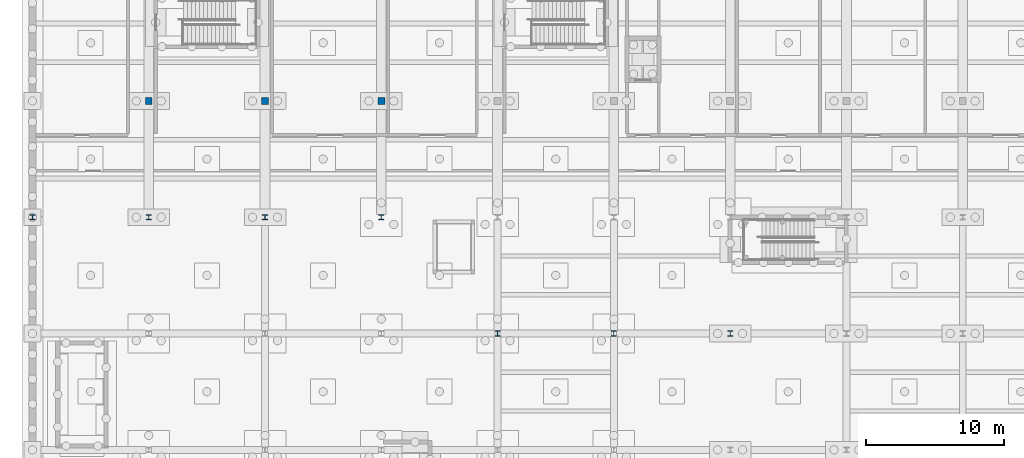
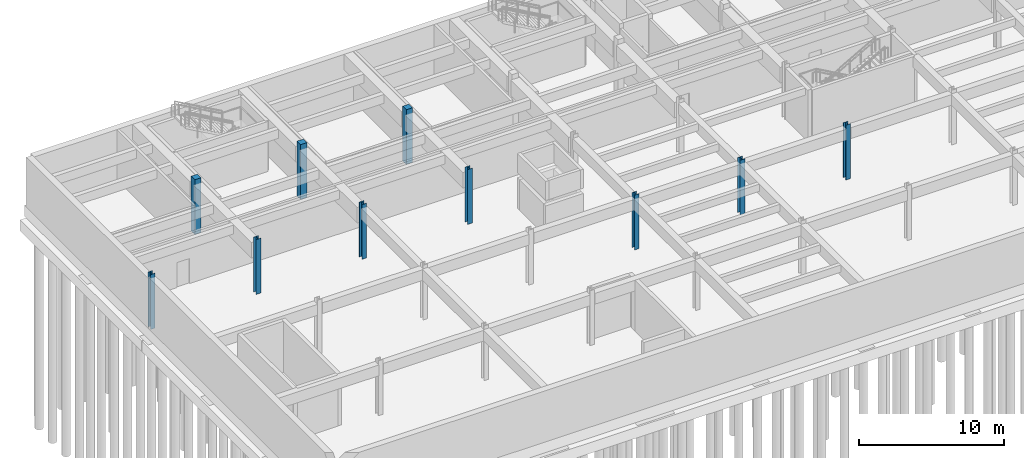
# One storey, part 13 of 33: 10 columns.
"""IFC4 building model written with IfcOpenShell, lengths in metres."""

from ifc_helpers import new_model, si_unit, direction, frame, origin, origin_2d, place, context, subcontext, project, spatial, rectangle, i_section, extrude, material, material_profile, profile_set, type_object, element, save


model = new_model("IFC4")

# Units and contexts
model_context = context("Model", 3, precision=1e-05, world=origin(), true_north=direction((0.0, 1.0)))
body_context = subcontext(model_context, "Body", "Model", "MODEL_VIEW")
ifc_project = project(units=[si_unit("LENGTHUNIT", "METRE"), si_unit("AREAUNIT", "SQUARE_METRE"), si_unit("VOLUMEUNIT", "CUBIC_METRE"), si_unit("PLANEANGLEUNIT", "RADIAN"), si_unit("MASSUNIT", "GRAM", prefix="KILO")], contexts=[model_context])

# Site, building, storey
site_placement = place(None, origin())
site = spatial("IfcSite", under=ifc_project, at=site_placement, CompositionType="ELEMENT")
building_placement = place(site_placement, origin())
building = spatial("IfcBuilding", under=site, at=building_placement, Name="Ljudholm Concert House", CompositionType="ELEMENT")
storey_placement = place(building_placement, frame((0.0, 0.0, -4.60009765625)))
storey = spatial("IfcBuildingStorey", under=building, at=storey_placement, Name="B1", CompositionType="ELEMENT", Elevation=-4.60009765625)

# Columns
ifc_material_1 = material(Name="Concrete 6,500 psi", Category="concrete")
ifc_material_profile_1 = material_profile(ifc_material_1, rectangle(XDim=0.5, YDim=0.5, at=origin_2d()), Name="RC COLUMN 500x500")
ifc_profile_set_1 = profile_set([ifc_material_profile_1], Name="Concrete 6,500 psi")
column_type_1 = type_object("IfcColumnType", Name="RC COLUMN 500x500", PredefinedType="COLUMN", material=ifc_profile_set_1)
for number, where, z_axis, x_axis, name in (
    (1, (12.39990234375, 138.39990234375, 0.0), (0.0, 0.0, 1.0), (1.0, 0.0, 0.0), "Basement column"),
    (2, (20.800048828125, 138.39990234375, 0.0), (0.0, 0.0, 1.0), (1.0, 0.0, 0.0), "Basement column"),
    (3, (29.199951171875, 138.39990234375, 0.0), (0.0, 0.0, 1.0), (1.0, 0.0, 0.0), "Basement column"),
):
    element("IfcColumn", number, at=place(storey_placement, frame(where, z_axis=z_axis, x_axis=x_axis)), inside=storey, type_object=column_type_1, Name=name, PredefinedType="COLUMN", context=body_context, shape_type="SweptSolid", body=[
        extrude(rectangle(XDim=0.5, YDim=0.5, at=origin_2d()), origin(), (0.0, 0.0, 1.0), 4.60009765625),
    ])
ifc_material_2 = material(Name="Steel ASTM A992", Category="steel")
ifc_material_profile_2 = material_profile(ifc_material_2, i_section(OverallWidth=0.373291015625, OverallDepth=0.373291015625, WebThickness=0.016357421875, FlangeThickness=0.026123046875, FilletRadius=0.01513671875, at=origin_2d()), Name="W14X132")
ifc_profile_set_2 = profile_set([ifc_material_profile_2], Name="Steel ASTM A992")
column_type_2 = type_object("IfcColumnType", Name="STEEL COLUMN W14X132", PredefinedType="COLUMN", material=ifc_profile_set_2)
for number, where, z_axis, x_axis, name in (
    (4, (54.39990234375, 121.60009765625, 0.0), (0.0, 0.0, 1.0), (1.0, 0.0, 0.0), "Basement column"),
    (5, (4.0, 130.0, 0.0), (0.0, 0.0, 1.0), (1.0, 0.0, 0.0), "Basement column"),
    (6, (12.39990234375, 130.0, 0.0), (0.0, 0.0, 1.0), (1.0, 0.0, 0.0), "Basement column"),
    (7, (20.800048828125, 130.0, 0.0), (0.0, 0.0, 1.0), (1.0, 0.0, 0.0), "Basement column"),
    (8, (29.199951171875, 130.0, 0.0), (0.0, 0.0, 1.0), (1.0, 0.0, 0.0), "Basement column"),
    (9, (37.60009765625, 121.60009765625, 0.0), (0.0, 0.0, 1.0), (1.0, 0.0, 0.0), "Basement column"),
    (10, (46.0, 121.60009765625, 0.0), (0.0, 0.0, 1.0), (1.0, 0.0, 0.0), "Basement column"),
):
    element("IfcColumn", number, at=place(storey_placement, frame(where, z_axis=z_axis, x_axis=x_axis)), inside=storey, type_object=column_type_2, Name=name, PredefinedType="COLUMN", context=body_context, shape_type="SweptSolid", body=[
        extrude(i_section(OverallWidth=0.373291015625, OverallDepth=0.373291015625, WebThickness=0.016357421875, FlangeThickness=0.026123046875, FilletRadius=0.01513671875, at=origin_2d()), origin(), (0.0, 0.0, 1.0), 4.60009765625),
    ])

save(model, "model.ifc")
